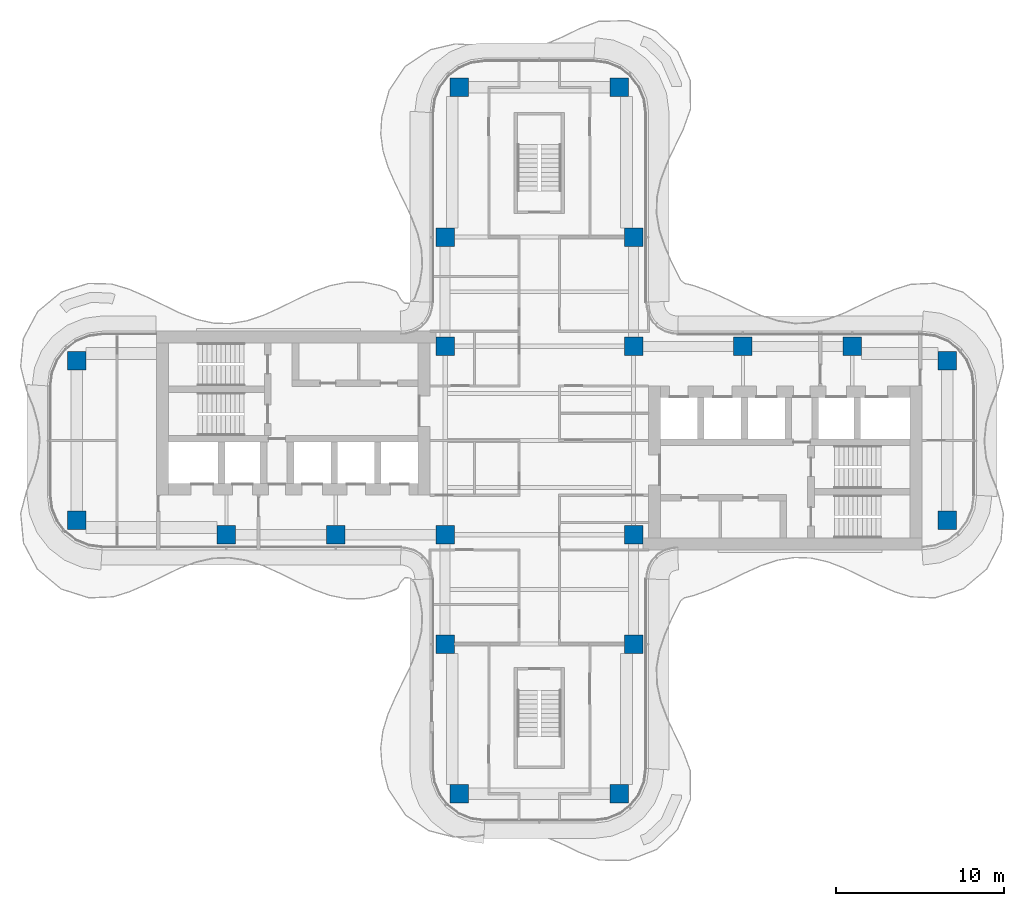
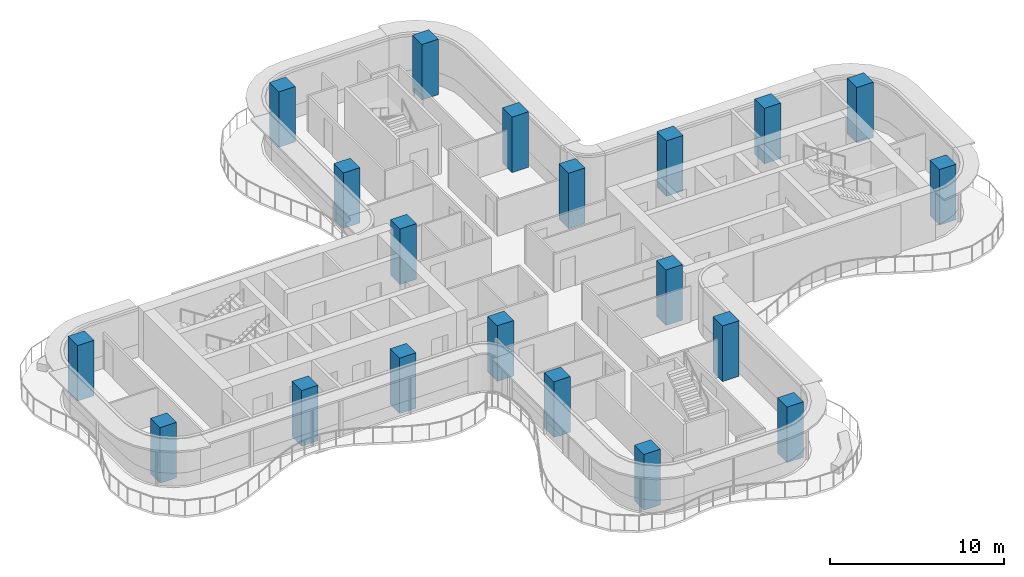
# One storey, part 1 of 16: 20 columns.
"""IFC4 building model written with IfcOpenShell, lengths in metres."""

import ifcopenshell
import ifcopenshell.guid

model = None  # the IFC model being written
_history = None  # IfcOwnerHistory: only IFC2X3 demands one
_inside = {}  # id of a spatial element -> (the spatial element, [elements in it])
_under = {}  # id of a project, library or spatial element -> (it, [spatial elements below it])
_declared = {}  # id of a project -> (the project, [libraries it declares])
_typed = {}  # id of a type object -> (the type object, [elements of that type])
_made_of = {}  # id of a material, layer set ... -> (it, [elements and type objects made of it])


def new_model(schema):
    """Start an empty IFC model of exactly this schema.

    Asked for "IFC4X3", IfcOpenShell would pick the latest addendum, in which some entities
    have other attributes; the version numbers below select the first issue.
    IFC2X3 requires an IfcOwnerHistory on every rooted entity: one is made here for all.
    """
    global model, _history
    if schema == "IFC4X3":
        model = ifcopenshell.file(schema_version=(4, 3, 0, 0))
    else:
        model = ifcopenshell.file(schema=schema)
    _inside.clear()
    _under.clear()
    _declared.clear()
    _typed.clear()
    _made_of.clear()
    _history = None
    if model.schema == "IFC2X3":
        org = make("IfcOrganization", Name="unknown")
        user = make(
            "IfcPersonAndOrganization",
            ThePerson=make("IfcPerson", FamilyName="unknown"),
            TheOrganization=org,
        )
        app = make(
            "IfcApplication",
            ApplicationDeveloper=org,
            Version="unknown",
            ApplicationFullName="unknown",
            ApplicationIdentifier="unknown",
        )
        _history = make(
            "IfcOwnerHistory",
            OwningUser=user,
            OwningApplication=app,
            ChangeAction="ADDED",
            CreationDate=0,
        )
    return model


def make(cls, **values):
    """One entity of the class cls with the attributes given. An attribute that is None is left unset."""
    return model.create_entity(
        cls, **{name: value for name, value in values.items() if value is not None}
    )


def rooted(cls, **values):
    """An entity with a GlobalId (a new one), such as an element, a storey or a relation."""
    return make(cls, GlobalId=ifcopenshell.guid.new(), OwnerHistory=_history, **values)


def si_unit(unit_type, name, prefix=None):
    """IfcSIUnit, for example si_unit("LENGTHUNIT", "METRE", prefix="MILLI")."""
    return make("IfcSIUnit", UnitType=unit_type, Prefix=prefix, Name=name)


def assignment(units):
    """IfcUnitAssignment: the units of a project."""
    return None if units is None else make("IfcUnitAssignment", Units=units)


def point(xyz):
    """IfcCartesianPoint."""
    return None if xyz is None else make("IfcCartesianPoint", Coordinates=xyz)


def direction(xyz):
    """IfcDirection."""
    return None if xyz is None else make("IfcDirection", DirectionRatios=xyz)


def frame(location, z_axis=None, x_axis=None):
    """IfcAxis2Placement3D, a coordinate frame: its origin and axes. An axis left out is left unset."""
    return make(
        "IfcAxis2Placement3D",
        Location=point(location),
        Axis=direction(z_axis),
        RefDirection=direction(x_axis),
    )


def frame_2d(location, x_axis=None):
    """IfcAxis2Placement2D, a coordinate frame in the plane: its origin and x axis."""
    return make(
        "IfcAxis2Placement2D", Location=point(location), RefDirection=direction(x_axis)
    )


def origin():
    """The frame at (0, 0, 0) with its axes left unset."""
    return frame((0.0, 0.0, 0.0))


def origin_2d():
    """The frame at (0, 0) in the plane with its x axis left unset."""
    return frame_2d((0.0, 0.0))


def place(relative_to, where):
    """IfcLocalPlacement: puts the frame where relative to a parent placement (None: the world)."""
    return make(
        "IfcLocalPlacement", PlacementRelTo=relative_to, RelativePlacement=where
    )


def context(
    kind, dimensions, precision=None, world=None, true_north=None, identifier=None
):
    """IfcGeometricRepresentationContext, for example the 3D "Model" context."""
    return make(
        "IfcGeometricRepresentationContext",
        ContextIdentifier=identifier,
        ContextType=kind,
        CoordinateSpaceDimension=dimensions,
        Precision=precision,
        WorldCoordinateSystem=world,
        TrueNorth=true_north,
    )


def subcontext(parent, identifier, kind, view, scale=None):
    """IfcGeometricRepresentationSubContext, for example "Body" below "Model"."""
    return make(
        "IfcGeometricRepresentationSubContext",
        ContextIdentifier=identifier,
        ContextType=kind,
        ParentContext=parent,
        TargetScale=scale,
        TargetView=view,
    )


def project(units=None, contexts=None):
    """IfcProject with its units and contexts."""
    return rooted(
        "IfcProject",
        Name="project",
        RepresentationContexts=contexts,
        UnitsInContext=assignment(units),
    )


def spatial(cls, under=None, at=None, **own):
    """A site, building, storey or space (cls), placed at a placement, below another one or the project."""
    s = rooted(cls, ObjectPlacement=at, **own)
    if under is not None:
        _under.setdefault(under.id(), (under, []))[1].append(s)
    return s


def profile(cls, at=None, kind="AREA", **sizes):
    """A parametric profile (cls). Its sizes go by their IFC names, for example OverallWidth=200.0."""
    return make(cls, ProfileType=kind, Position=at, **sizes)


def rectangle(**sizes):
    """IfcRectangleProfileDef."""
    return profile("IfcRectangleProfileDef", **sizes)


def extrude(swept, where, along, depth):
    """IfcExtrudedAreaSolid: the profile swept, set in the frame where, extruded along a direction by depth."""
    return make(
        "IfcExtrudedAreaSolid",
        SweptArea=swept,
        Position=where,
        ExtrudedDirection=direction(along),
        Depth=depth,
    )


def shape(context_of_items, identifier, shape_type, items):
    """IfcShapeRepresentation: the items that make up one representation, for example the "Body"."""
    return make(
        "IfcShapeRepresentation",
        ContextOfItems=context_of_items,
        RepresentationIdentifier=identifier,
        RepresentationType=shape_type,
        Items=items,
    )


def source(mapping_origin, context_of_items, identifier, shape_type, items):
    """IfcRepresentationMap: a shape defined once, which mapped items show again and again."""
    return make(
        "IfcRepresentationMap",
        MappingOrigin=mapping_origin,
        MappedRepresentation=shape(context_of_items, identifier, shape_type, items),
    )


def transform(
    local_origin,
    x_axis=None,
    y_axis=None,
    z_axis=None,
    scale=None,
    scale2=None,
    scale3=None,
    uniform=True,
):
    """IfcCartesianTransformationOperator3D, or its non-uniform kind. x_axis, y_axis, z_axis: its Axis1, 2, 3."""
    if uniform:
        return make(
            "IfcCartesianTransformationOperator3D",
            Axis1=direction(x_axis),
            Axis2=direction(y_axis),
            LocalOrigin=point(local_origin),
            Scale=scale,
            Axis3=direction(z_axis),
        )
    return make(
        "IfcCartesianTransformationOperator3DnonUniform",
        Axis1=direction(x_axis),
        Axis2=direction(y_axis),
        LocalOrigin=point(local_origin),
        Scale=scale,
        Axis3=direction(z_axis),
        Scale2=scale2,
        Scale3=scale3,
    )


def mapped(mapping_source, mapping_target):
    """IfcMappedItem: shows the shape of a source again, moved by a transform."""
    return make(
        "IfcMappedItem", MappingSource=mapping_source, MappingTarget=mapping_target
    )


def material(Name=None, Category=None):
    """IfcMaterial."""
    return make("IfcMaterial", Name=Name, Category=Category)


def material_profile(
    of_material, cross_section, Name=None, Category=None, Priority=None
):
    """IfcMaterialProfile: a cross section and its material."""
    return make(
        "IfcMaterialProfile",
        Name=Name,
        Material=of_material,
        Profile=cross_section,
        Priority=Priority,
        Category=Category,
    )


def profile_set(profiles, Name=None, composite=None):
    """IfcMaterialProfileSet."""
    return make(
        "IfcMaterialProfileSet",
        Name=Name,
        MaterialProfiles=profiles,
        CompositeProfile=composite,
    )


def made_of(thing, what):
    """Note that an element or type object is made of a material, layer set ...; save() writes the relation."""
    if what is not None:
        _made_of.setdefault(what.id(), (what, []))[1].append(thing)
    return thing


def type_object(cls, material=None, **own):
    """A type object (cls), such as IfcWallType, which elements share."""
    return made_of(rooted(cls, **own), material)


def element(
    cls,
    number,
    at=None,
    inside=None,
    cuts=None,
    type_object=None,
    material=None,
    context=None,
    identifier="Body",
    shape_type=None,
    held_by="IfcProductDefinitionShape",
    body=None,
    shapes=None,
    **own,
):
    """One element of the class cls, such as IfcWall. Its Tag is "e" and its number.

    at: its placement. inside: the storey or other place that contains it. cuts: it is an
    opening in that element (IfcRelVoidsElement). A single representation is given by context,
    identifier, shape_type and body (its items); several are given by shapes. held_by: the class
    of the entity that holds the representations. save() writes the other relations.
    """
    e = rooted(cls, Tag="e%d" % number, ObjectPlacement=at, **own)
    if body is not None:
        shapes = [shape(context, identifier, shape_type, body)]
    if shapes is not None:
        e.Representation = make(held_by, Representations=shapes)
    if inside is not None:
        _inside.setdefault(inside.id(), (inside, []))[1].append(e)
    if cuts is not None:
        rooted(
            "IfcRelVoidsElement", RelatingBuildingElement=cuts, RelatedOpeningElement=e
        )
    if type_object is not None:
        _typed.setdefault(type_object.id(), (type_object, []))[1].append(e)
    return made_of(e, material)


def aggregate(whole, parts):
    """IfcRelAggregates: a whole, such as a stair, and the parts it consists of."""
    return rooted("IfcRelAggregates", RelatingObject=whole, RelatedObjects=parts)


def save(model, path):
    """Write the relations noted so far, then the file.

    IfcRelAggregates (storeys below a building ...), IfcRelContainedInSpatialStructure (elements
    in a storey), IfcRelDefinesByType, IfcRelAssociatesMaterial and IfcRelDeclares: one each for
    every whole, place, type object, material and project.
    """
    for whole, parts in _under.values():
        aggregate(whole, parts)
    for where, things in _inside.values():
        rooted(
            "IfcRelContainedInSpatialStructure",
            RelatedElements=things,
            RelatingStructure=where,
        )
    for kind, things in _typed.values():
        rooted("IfcRelDefinesByType", RelatedObjects=things, RelatingType=kind)
    for what, things in _made_of.values():
        rooted("IfcRelAssociatesMaterial", RelatedObjects=things, RelatingMaterial=what)
    for by, libraries in _declared.values():
        rooted("IfcRelDeclares", RelatingContext=by, RelatedDefinitions=libraries)
    model.write(path)


model = new_model("IFC4")

# Units and contexts
model_context = context("Model", 3, precision=1e-05, world=origin(), true_north=direction((0.0, 1.0)))
body_context = subcontext(model_context, "Body", "Model", "MODEL_VIEW")
ifc_project = project(units=[si_unit("LENGTHUNIT", "METRE"), si_unit("AREAUNIT", "SQUARE_METRE"), si_unit("VOLUMEUNIT", "CUBIC_METRE"), si_unit("PLANEANGLEUNIT", "RADIAN"), si_unit("MASSUNIT", "GRAM", prefix="KILO")], contexts=[model_context])

# Site, building, storey
site_placement = place(None, origin())
site = spatial("IfcSite", under=ifc_project, at=site_placement, CompositionType="ELEMENT")
building_placement = place(site_placement, origin())
building = spatial("IfcBuilding", under=site, at=building_placement, Name="Trellis Farm Tower", CompositionType="ELEMENT")
storey_placement = place(building_placement, frame((0.0, 0.0, 267.5)))
storey = spatial("IfcBuildingStorey", under=building, at=storey_placement, Name="L60", CompositionType="ELEMENT", Elevation=267.5)

# Columns
ifc_material = material(Name="Concrete C60/75", Category="concrete")
ifc_material_profile = material_profile(ifc_material, rectangle(XDim=1.10009765625, YDim=1.10009765625, at=origin_2d()), Name="RC column 1100x1100 C60/75")
ifc_profile_set = profile_set([ifc_material_profile], Name="Concrete C60/75")
column_type = type_object("IfcColumnType", Name="RC column 1100x1100 C60/75", PredefinedType="COLUMN", material=ifc_profile_set)
shared_shape = source(origin(), body_context, "Body", "SweptSolid", [
    extrude(rectangle(XDim=1.10009765625, YDim=1.10009765625, at=origin_2d()), origin(), (0.0, 0.0, 1.0), 3.89990234375),
])
for number, where, z_axis, x_axis, name in (
    (1, (12.10009765625, 5.60009765625, 0.0), (0.0, 0.0, 1.0), (1.0, 0.0, 0.0), "Column"),
    (2, (18.60009765625, 5.60009765625, 0.0), (0.0, 0.0, 1.0), (1.0, 0.0, 0.0), "Column"),
    (3, (24.25, 4.75, 0.0), (0.0, 0.0, 1.0), (1.0, 0.0, 0.0), "Column"),
    (4, (24.25, -4.75, 0.0), (0.0, 0.0, 1.0), (1.0, 0.0, 0.0), "Column"),
    (5, (-5.60009765625, 12.10009765625, 0.0), (0.0, 0.0, 1.0), (1.0, 0.0, 0.0), "Column"),
    (6, (-4.75, 21.0, 0.0), (0.0, 0.0, 1.0), (1.0, 0.0, 0.0), "Column"),
    (7, (5.60009765625, 12.10009765625, 0.0), (0.0, 0.0, 1.0), (1.0, 0.0, 0.0), "Column"),
    (8, (4.75, 21.0, 0.0), (0.0, 0.0, 1.0), (1.0, 0.0, 0.0), "Column"),
    (9, (5.60009765625, 5.60009765625, 0.0), (0.0, 0.0, 1.0), (1.0, 0.0, 0.0), "Column"),
    (10, (-5.60009765625, 5.60009765625, 0.0), (0.0, 0.0, 1.0), (1.0, 0.0, 0.0), "Column"),
    (11, (5.60009765625, -5.60009765625, 0.0), (0.0, 0.0, 1.0), (1.0, 0.0, 0.0), "Column"),
    (12, (-5.60009765625, -5.60009765625, 0.0), (0.0, 0.0, 1.0), (1.0, 0.0, 0.0), "Column"),
    (13, (5.60009765625, -12.10009765625, 0.0), (0.0, 0.0, 1.0), (1.0, 0.0, 0.0), "Column"),
    (14, (4.75, -21.0, 0.0), (0.0, 0.0, 1.0), (1.0, 0.0, 0.0), "Column"),
    (15, (-5.60009765625, -12.10009765625, 0.0), (0.0, 0.0, 1.0), (1.0, 0.0, 0.0), "Column"),
    (16, (-4.75, -21.0, 0.0), (0.0, 0.0, 1.0), (1.0, 0.0, 0.0), "Column"),
    (17, (-12.10009765625, -5.60009765625, 0.0), (0.0, 0.0, 1.0), (1.0, 0.0, 0.0), "Column"),
    (18, (-18.60009765625, -5.60009765625, 0.0), (0.0, 0.0, 1.0), (1.0, 0.0, 0.0), "Column"),
    (19, (-27.5, -4.75, 0.0), (0.0, 0.0, 1.0), (1.0, 0.0, 0.0), "Column"),
    (20, (-27.5, 4.75, 0.0), (0.0, 0.0, 1.0), (1.0, 0.0, 0.0), "Column"),
):
    element("IfcColumn", number, at=place(storey_placement, frame(where, z_axis=z_axis, x_axis=x_axis)), inside=storey, type_object=column_type, Name=name, PredefinedType="COLUMN", context=body_context, shape_type="MappedRepresentation", body=[
        mapped(shared_shape, transform((0.0, 0.0, 0.0))),
    ])

save(model, "model.ifc")
